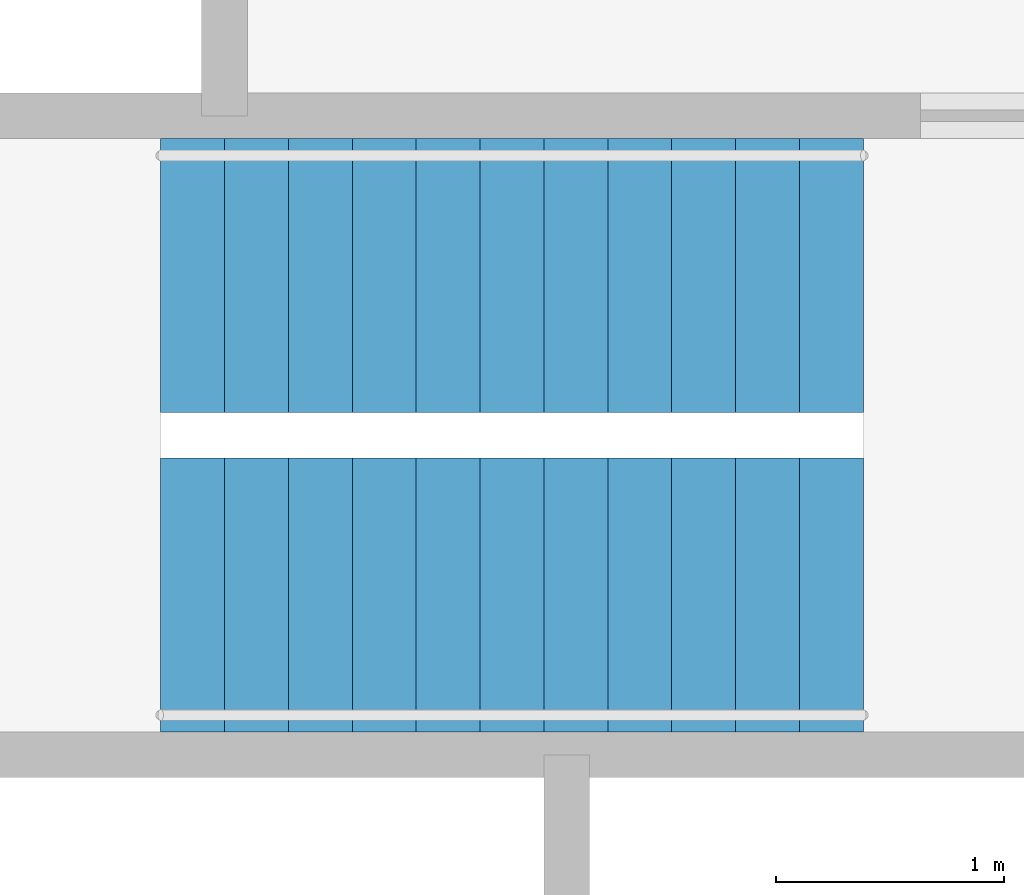
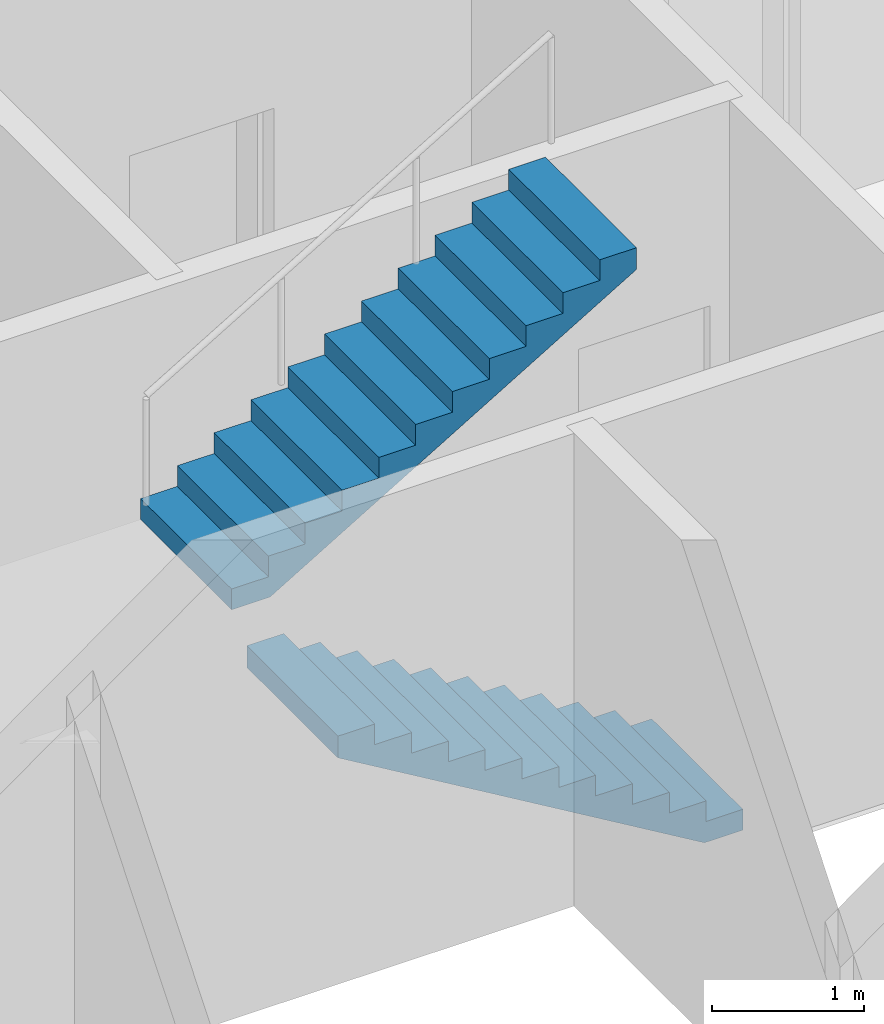
# One storey, part 12 of 14: 2 stair flights, 1 element without a shape of its own.
"""IFC4 building model written with IfcOpenShell, lengths in metres."""

from ifc_helpers import new_model, si_unit, direction, frame, origin, place, context, subcontext, project, spatial, polyline, outline, extrude, material, type_object, element, aggregate, save


model = new_model("IFC4")

# Units and contexts
model_context = context("Model", 3, precision=1e-05, world=origin(), true_north=direction((0.0, 1.0)))
body_context = subcontext(model_context, "Body", "Model", "MODEL_VIEW")
ifc_project = project(units=[si_unit("LENGTHUNIT", "METRE"), si_unit("AREAUNIT", "SQUARE_METRE"), si_unit("VOLUMEUNIT", "CUBIC_METRE"), si_unit("PLANEANGLEUNIT", "RADIAN"), si_unit("MASSUNIT", "GRAM", prefix="KILO")], contexts=[model_context])

# Site, building, storey
site_placement = place(None, origin())
site = spatial("IfcSite", under=ifc_project, at=site_placement, CompositionType="ELEMENT")
building_placement = place(site_placement, origin())
building = spatial("IfcBuilding", under=site, at=building_placement, Name="Fenwick Lantern Interchange", CompositionType="ELEMENT")
storey_placement = place(building_placement, frame((0.0, 0.0, 217.800048828125)))
storey = spatial("IfcBuildingStorey", under=building, at=storey_placement, Name="L51", CompositionType="ELEMENT", Elevation=217.800048828125)

# Stair, stair flights
ifc_material = material(Name="Precast concrete f'c 35 MPa", Category="concrete")
stair_type = type_object("IfcStairType", Name="EXIT STAIR 1200", PredefinedType="HALF_TURN_STAIR", material=ifc_material)
stair_placement = place(storey_placement, origin())
stair = element("IfcStair", 1, at=stair_placement, inside=storey, type_object=stair_type, Name="Exit stair ST2", PredefinedType="HALF_TURN_STAIR")
stair_flight_type = type_object("IfcStairFlightType", Name="STAIR FLIGHT 1200", PredefinedType="STRAIGHT", material=ifc_material)
stair_flight_1_placement = place(storey_placement, frame((28.199951171875, 30.699951171875, 0.0), z_axis=(0.0, 0.0, 1.0), x_axis=(-1.0, 0.0, 0.0)))
stair_flight_1 = element("IfcStairFlight", 2, at=stair_flight_1_placement, type_object=stair_flight_type, Name="ST2 flight 1", NumberOfRisers=12, NumberOfTreads=11, PredefinedType="STRAIGHT", RiserHeight=0.166666667, TreadLength=0.28, context=body_context, shape_type="SweptSolid", body=[
    extrude(outline(polyline([(0.0, 0.0), (0.0, 0.166748046875), (0.280029296875, 0.166748046875), (0.280029296875, 0.333251953125), (0.56005859375, 0.333251953125), (0.56005859375, 0.5), (0.840087890625, 0.5), (0.840087890625, 0.666748046875), (1.1201171875, 0.666748046875), (1.1201171875, 0.833251953125), (1.39990234375, 0.833251953125), (1.39990234375, 1.0), (1.679931640625, 1.0), (1.679931640625, 1.166748046875), (1.9599609375, 1.166748046875), (1.9599609375, 1.333251953125), (2.239990234375, 1.333251953125), (2.239990234375, 1.5), (2.52001953125, 1.5), (2.52001953125, 1.666748046875), (2.800048828125, 1.666748046875), (2.800048828125, 1.833251953125), (3.080078125, 1.833251953125), (3.080078125, 2.0), (3.080078125, 1.658935546875), (0.29296875, 0.0), (0.0, 0.0)])), frame((0.0, 0.60009765625, 0.0), z_axis=(0.0, -1.0, 0.0), x_axis=(1.0, 0.0, 0.0)), (0.0, 0.0, 1.0), 1.199951171875),
])
stair_flight_2_placement = place(storey_placement, frame((25.1201171875, 32.10009765625, 2.0), z_axis=(0.0, 0.0, 1.0), x_axis=(1.0, 0.0, 0.0)))
stair_flight_2 = element("IfcStairFlight", 3, at=stair_flight_2_placement, type_object=stair_flight_type, Name="ST2 flight 2", NumberOfRisers=12, NumberOfTreads=11, PredefinedType="STRAIGHT", RiserHeight=0.166666667, TreadLength=0.28, context=body_context, shape_type="SweptSolid", body=[
    extrude(outline(polyline([(0.0, 0.0), (0.0, 0.166748046875), (0.280029296875, 0.166748046875), (0.280029296875, 0.333251953125), (0.56005859375, 0.333251953125), (0.56005859375, 0.5), (0.840087890625, 0.5), (0.840087890625, 0.666748046875), (1.1201171875, 0.666748046875), (1.1201171875, 0.833251953125), (1.39990234375, 0.833251953125), (1.39990234375, 1.0), (1.679931640625, 1.0), (1.679931640625, 1.166748046875), (1.9599609375, 1.166748046875), (1.9599609375, 1.333251953125), (2.239990234375, 1.333251953125), (2.239990234375, 1.5), (2.52001953125, 1.5), (2.52001953125, 1.666748046875), (2.800048828125, 1.666748046875), (2.800048828125, 1.833251953125), (3.080078125, 1.833251953125), (3.080078125, 2.0), (3.080078125, 1.658935546875), (0.29296875, 0.0), (0.0, 0.0)])), frame((0.0, 0.60009765625, 0.0), z_axis=(0.0, -1.0, 0.0), x_axis=(1.0, 0.0, 0.0)), (0.0, 0.0, 1.0), 1.199951171875),
])
aggregate(stair, [stair_flight_1, stair_flight_2])

save(model, "model.ifc")
